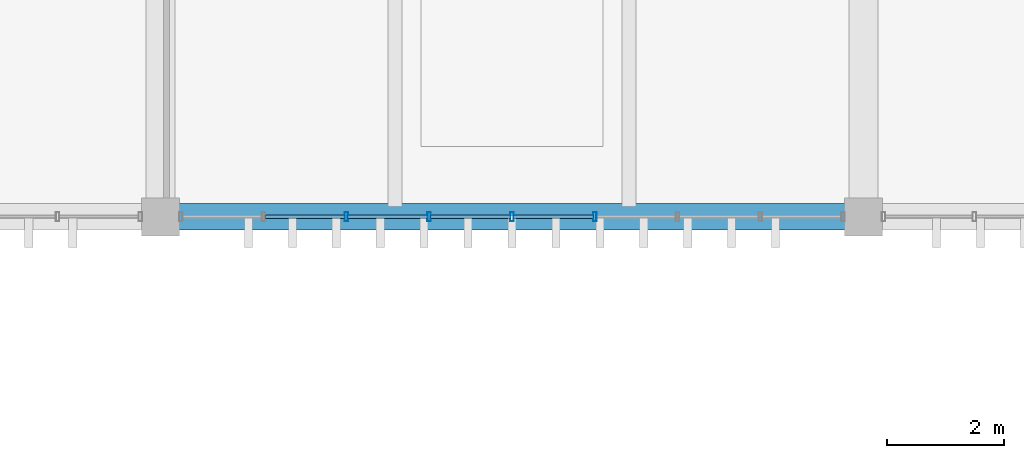
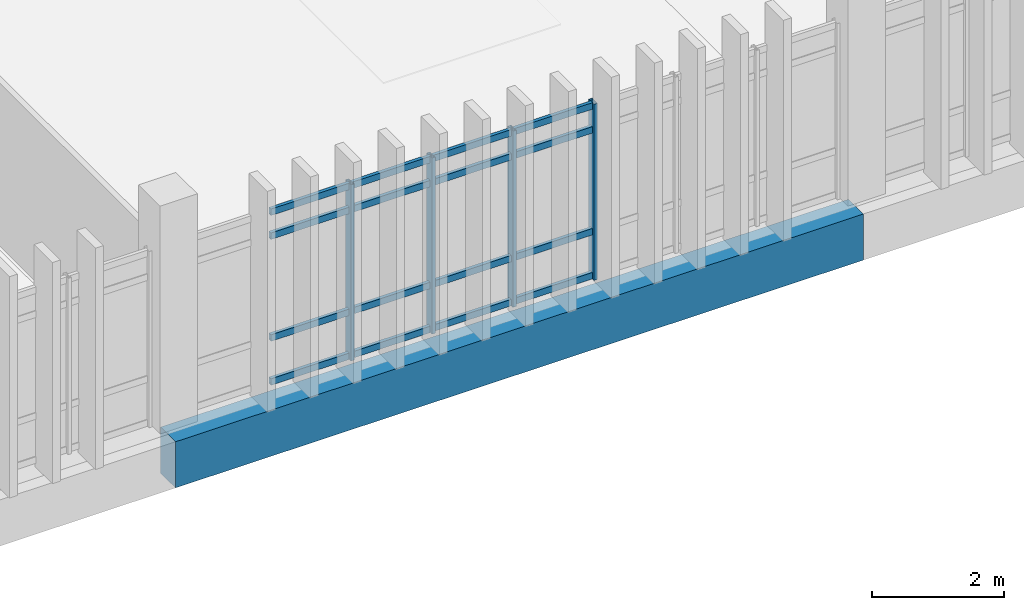
# One storey, part 19 of 82: 20 members, 1 beam, 1 element without a shape of its own.
"""IFC4 building model written with IfcOpenShell, lengths in metres."""

from ifc_helpers import new_model, si_unit, direction, frame, origin, origin_2d, place, context, subcontext, project, spatial, rectangle, hollow_rectangle, extrude, material, layer, layer_set, material_profile, profile_set, type_object, element, aggregate, save


model = new_model("IFC4")

# Units and contexts
model_context = context("Model", 3, precision=1e-05, world=origin(), true_north=direction((0.0, 1.0)))
body_context = subcontext(model_context, "Body", "Model", "MODEL_VIEW")
ifc_project = project(units=[si_unit("LENGTHUNIT", "METRE"), si_unit("AREAUNIT", "SQUARE_METRE"), si_unit("VOLUMEUNIT", "CUBIC_METRE"), si_unit("PLANEANGLEUNIT", "RADIAN"), si_unit("MASSUNIT", "GRAM", prefix="KILO")], contexts=[model_context])

# Site, building, storey
site_placement = place(None, origin())
site = spatial("IfcSite", under=ifc_project, at=site_placement, CompositionType="ELEMENT")
building_placement = place(site_placement, origin())
building = spatial("IfcBuilding", under=site, at=building_placement, Name="Mersad Railyard Sports Hall", CompositionType="ELEMENT")
storey_placement = place(building_placement, frame((0.0, 0.0, 13.199951171875)))
storey = spatial("IfcBuildingStorey", under=building, at=storey_placement, Name="L03", CompositionType="ELEMENT", Elevation=13.199951171875)

# Curtain wall, members
ifc_material_1 = material(Name="Aluminium 6063-T6", Category="aluminium")
ifc_layer = layer(ifc_material_1, 0.159912109375)
ifc_layer_set = layer_set([ifc_layer], Name="Aluminium 6063-T6")
curtain_wall_type = type_object("IfcCurtainWallType", Name="ARC-CW-CW59", PredefinedType="USERDEFINED", material=ifc_layer_set)
curtain_wall_placement = place(storey_placement, origin())
curtain_wall = element("IfcCurtainWall", 1, at=curtain_wall_placement, inside=storey, type_object=curtain_wall_type, Name="Curtain wall CW59-0157", ObjectType="CURTAIN WALL", PredefinedType="USERDEFINED")
ifc_material_profile_1 = material_profile(ifc_material_1, hollow_rectangle(XDim=0.06005859375, YDim=0.159912109375, WallThickness=0.00390625, at=origin_2d()), Name="AL MULLION 60x160x4")
ifc_profile_set_1 = profile_set([ifc_material_profile_1], Name="Aluminium 6063-T6")
member_type_1 = type_object("IfcMemberType", Name="ARC-CW-MUL01", PredefinedType="MULLION", material=ifc_profile_set_1)
member_1_placement = place(storey_placement, frame((86.413818359375, 85.0, -0.02001953125), z_axis=(0.0, 0.0, 1.0), x_axis=(1.0, 0.0, 0.0)))
member_1 = element("IfcMember", 2, at=member_1_placement, type_object=member_type_1, Name="CW59 Mullion 4", PredefinedType="MULLION", context=body_context, shape_type="SweptSolid", body=[
    extrude(hollow_rectangle(XDim=0.06005859375, YDim=0.159912109375, WallThickness=0.00390625, at=origin_2d()), origin(), (0.0, 0.0, 1.0), 3.25),
])
member_2_placement = place(storey_placement, frame((85.0, 85.0, -0.02001953125), z_axis=(0.0, 0.0, 1.0), x_axis=(1.0, 0.0, 0.0)))
member_2 = element("IfcMember", 3, at=member_2_placement, type_object=member_type_1, Name="CW59 Mullion 5", PredefinedType="MULLION", context=body_context, shape_type="SweptSolid", body=[
    extrude(hollow_rectangle(XDim=0.06005859375, YDim=0.159912109375, WallThickness=0.00390625, at=origin_2d()), origin(), (0.0, 0.0, 1.0), 3.25),
])
member_3_placement = place(storey_placement, frame((83.586181640625, 85.0, -0.02001953125), z_axis=(0.0, 0.0, 1.0), x_axis=(1.0, 0.0, 0.0)))
member_3 = element("IfcMember", 4, at=member_3_placement, type_object=member_type_1, Name="CW59 Mullion 6", PredefinedType="MULLION", context=body_context, shape_type="SweptSolid", body=[
    extrude(hollow_rectangle(XDim=0.06005859375, YDim=0.159912109375, WallThickness=0.00390625, at=origin_2d()), origin(), (0.0, 0.0, 1.0), 3.25),
])
member_4_placement = place(storey_placement, frame((82.172607421875, 85.0, -0.02001953125), z_axis=(0.0, 0.0, 1.0), x_axis=(1.0, 0.0, 0.0)))
member_4 = element("IfcMember", 5, at=member_4_placement, type_object=member_type_1, Name="CW59 Mullion 7", PredefinedType="MULLION", context=body_context, shape_type="SweptSolid", body=[
    extrude(hollow_rectangle(XDim=0.06005859375, YDim=0.159912109375, WallThickness=0.00390625, at=origin_2d()), origin(), (0.0, 0.0, 1.0), 3.25),
])
ifc_material_profile_2 = material_profile(ifc_material_1, hollow_rectangle(XDim=0.06005859375, YDim=0.1201171875, WallThickness=0.00390625, at=origin_2d()), Name="AL TRANSOM 60x120x4")
ifc_profile_set_2 = profile_set([ifc_material_profile_2], Name="Aluminium 6063-T6")
member_type_2 = type_object("IfcMemberType", Name="ARC-CW-TRN01", PredefinedType="USERDEFINED", material=ifc_profile_set_2)
member_5_placement = place(storey_placement, frame((86.393798828125, 85.0, 0.0400390625), z_axis=(-1.0, 0.0, 0.0), x_axis=(0.0, -1.0, 0.0)))
member_5 = element("IfcMember", 6, at=member_5_placement, type_object=member_type_2, Name="CW59 Transom 1-4", ObjectType="TRANSOM", PredefinedType="USERDEFINED", context=body_context, shape_type="SweptSolid", body=[
    extrude(hollow_rectangle(XDim=0.06005859375, YDim=0.1201171875, WallThickness=0.00390625, at=origin_2d()), origin(), (0.0, 0.0, 1.0), 1.373779296875),
])
member_6_placement = place(storey_placement, frame((84.97998046875, 85.0, 0.0400390625), z_axis=(-1.0, 0.0, 0.0), x_axis=(0.0, -1.0, 0.0)))
member_6 = element("IfcMember", 7, at=member_6_placement, type_object=member_type_2, Name="CW59 Transom 1-5", ObjectType="TRANSOM", PredefinedType="USERDEFINED", context=body_context, shape_type="SweptSolid", body=[
    extrude(hollow_rectangle(XDim=0.06005859375, YDim=0.1201171875, WallThickness=0.00390625, at=origin_2d()), origin(), (0.0, 0.0, 1.0), 1.373779296875),
])
member_7_placement = place(storey_placement, frame((83.566162109375, 85.0, 0.0400390625), z_axis=(-1.0, 0.0, 0.0), x_axis=(0.0, -1.0, 0.0)))
member_7 = element("IfcMember", 8, at=member_7_placement, type_object=member_type_2, Name="CW59 Transom 1-6", ObjectType="TRANSOM", PredefinedType="USERDEFINED", context=body_context, shape_type="SweptSolid", body=[
    extrude(hollow_rectangle(XDim=0.06005859375, YDim=0.1201171875, WallThickness=0.00390625, at=origin_2d()), origin(), (0.0, 0.0, 1.0), 1.373779296875),
])
member_8_placement = place(storey_placement, frame((82.152587890625, 85.0, 0.0400390625), z_axis=(-1.0, 0.0, 0.0), x_axis=(0.0, -1.0, 0.0)))
member_8 = element("IfcMember", 9, at=member_8_placement, type_object=member_type_2, Name="CW59 Transom 1-7", ObjectType="TRANSOM", PredefinedType="USERDEFINED", context=body_context, shape_type="SweptSolid", body=[
    extrude(hollow_rectangle(XDim=0.06005859375, YDim=0.1201171875, WallThickness=0.00390625, at=origin_2d()), origin(), (0.0, 0.0, 1.0), 1.373779296875),
])
member_9_placement = place(storey_placement, frame((86.393798828125, 85.0, 0.85009765625), z_axis=(-1.0, 0.0, 0.0), x_axis=(0.0, -1.0, 0.0)))
member_9 = element("IfcMember", 10, at=member_9_placement, type_object=member_type_2, Name="CW59 Transom 2-4", ObjectType="TRANSOM", PredefinedType="USERDEFINED", context=body_context, shape_type="SweptSolid", body=[
    extrude(hollow_rectangle(XDim=0.06005859375, YDim=0.1201171875, WallThickness=0.00390625, at=origin_2d()), origin(), (0.0, 0.0, 1.0), 1.373779296875),
])
member_10_placement = place(storey_placement, frame((84.97998046875, 85.0, 0.85009765625), z_axis=(-1.0, 0.0, 0.0), x_axis=(0.0, -1.0, 0.0)))
member_10 = element("IfcMember", 11, at=member_10_placement, type_object=member_type_2, Name="CW59 Transom 2-5", ObjectType="TRANSOM", PredefinedType="USERDEFINED", context=body_context, shape_type="SweptSolid", body=[
    extrude(hollow_rectangle(XDim=0.06005859375, YDim=0.1201171875, WallThickness=0.00390625, at=origin_2d()), origin(), (0.0, 0.0, 1.0), 1.373779296875),
])
member_11_placement = place(storey_placement, frame((83.566162109375, 85.0, 0.85009765625), z_axis=(-1.0, 0.0, 0.0), x_axis=(0.0, -1.0, 0.0)))
member_11 = element("IfcMember", 12, at=member_11_placement, type_object=member_type_2, Name="CW59 Transom 2-6", ObjectType="TRANSOM", PredefinedType="USERDEFINED", context=body_context, shape_type="SweptSolid", body=[
    extrude(hollow_rectangle(XDim=0.06005859375, YDim=0.1201171875, WallThickness=0.00390625, at=origin_2d()), origin(), (0.0, 0.0, 1.0), 1.373779296875),
])
member_12_placement = place(storey_placement, frame((82.152587890625, 85.0, 0.85009765625), z_axis=(-1.0, 0.0, 0.0), x_axis=(0.0, -1.0, 0.0)))
member_12 = element("IfcMember", 13, at=member_12_placement, type_object=member_type_2, Name="CW59 Transom 2-7", ObjectType="TRANSOM", PredefinedType="USERDEFINED", context=body_context, shape_type="SweptSolid", body=[
    extrude(hollow_rectangle(XDim=0.06005859375, YDim=0.1201171875, WallThickness=0.00390625, at=origin_2d()), origin(), (0.0, 0.0, 1.0), 1.373779296875),
])
member_13_placement = place(storey_placement, frame((86.393798828125, 85.0, 2.72998046875), z_axis=(-1.0, 0.0, 0.0), x_axis=(0.0, -1.0, 0.0)))
member_13 = element("IfcMember", 14, at=member_13_placement, type_object=member_type_2, Name="CW59 Transom 3-4", ObjectType="TRANSOM", PredefinedType="USERDEFINED", context=body_context, shape_type="SweptSolid", body=[
    extrude(hollow_rectangle(XDim=0.06005859375, YDim=0.1201171875, WallThickness=0.00390625, at=origin_2d()), origin(), (0.0, 0.0, 1.0), 1.373779296875),
])
member_14_placement = place(storey_placement, frame((84.97998046875, 85.0, 2.72998046875), z_axis=(-1.0, 0.0, 0.0), x_axis=(0.0, -1.0, 0.0)))
member_14 = element("IfcMember", 15, at=member_14_placement, type_object=member_type_2, Name="CW59 Transom 3-5", ObjectType="TRANSOM", PredefinedType="USERDEFINED", context=body_context, shape_type="SweptSolid", body=[
    extrude(hollow_rectangle(XDim=0.06005859375, YDim=0.1201171875, WallThickness=0.00390625, at=origin_2d()), origin(), (0.0, 0.0, 1.0), 1.373779296875),
])
member_15_placement = place(storey_placement, frame((83.566162109375, 85.0, 2.72998046875), z_axis=(-1.0, 0.0, 0.0), x_axis=(0.0, -1.0, 0.0)))
member_15 = element("IfcMember", 16, at=member_15_placement, type_object=member_type_2, Name="CW59 Transom 3-6", ObjectType="TRANSOM", PredefinedType="USERDEFINED", context=body_context, shape_type="SweptSolid", body=[
    extrude(hollow_rectangle(XDim=0.06005859375, YDim=0.1201171875, WallThickness=0.00390625, at=origin_2d()), origin(), (0.0, 0.0, 1.0), 1.373779296875),
])
member_16_placement = place(storey_placement, frame((82.152587890625, 85.0, 2.72998046875), z_axis=(-1.0, 0.0, 0.0), x_axis=(0.0, -1.0, 0.0)))
member_16 = element("IfcMember", 17, at=member_16_placement, type_object=member_type_2, Name="CW59 Transom 3-7", ObjectType="TRANSOM", PredefinedType="USERDEFINED", context=body_context, shape_type="SweptSolid", body=[
    extrude(hollow_rectangle(XDim=0.06005859375, YDim=0.1201171875, WallThickness=0.00390625, at=origin_2d()), origin(), (0.0, 0.0, 1.0), 1.373779296875),
])
member_17_placement = place(storey_placement, frame((86.393798828125, 85.0, 3.170166015625), z_axis=(-1.0, 0.0, 0.0), x_axis=(0.0, -1.0, 0.0)))
member_17 = element("IfcMember", 18, at=member_17_placement, type_object=member_type_2, Name="CW59 Transom 4-4", ObjectType="TRANSOM", PredefinedType="USERDEFINED", context=body_context, shape_type="SweptSolid", body=[
    extrude(hollow_rectangle(XDim=0.06005859375, YDim=0.1201171875, WallThickness=0.00390625, at=origin_2d()), origin(), (0.0, 0.0, 1.0), 1.373779296875),
])
member_18_placement = place(storey_placement, frame((84.97998046875, 85.0, 3.170166015625), z_axis=(-1.0, 0.0, 0.0), x_axis=(0.0, -1.0, 0.0)))
member_18 = element("IfcMember", 19, at=member_18_placement, type_object=member_type_2, Name="CW59 Transom 4-5", ObjectType="TRANSOM", PredefinedType="USERDEFINED", context=body_context, shape_type="SweptSolid", body=[
    extrude(hollow_rectangle(XDim=0.06005859375, YDim=0.1201171875, WallThickness=0.00390625, at=origin_2d()), origin(), (0.0, 0.0, 1.0), 1.373779296875),
])
member_19_placement = place(storey_placement, frame((83.566162109375, 85.0, 3.170166015625), z_axis=(-1.0, 0.0, 0.0), x_axis=(0.0, -1.0, 0.0)))
member_19 = element("IfcMember", 20, at=member_19_placement, type_object=member_type_2, Name="CW59 Transom 4-6", ObjectType="TRANSOM", PredefinedType="USERDEFINED", context=body_context, shape_type="SweptSolid", body=[
    extrude(hollow_rectangle(XDim=0.06005859375, YDim=0.1201171875, WallThickness=0.00390625, at=origin_2d()), origin(), (0.0, 0.0, 1.0), 1.373779296875),
])
member_20_placement = place(storey_placement, frame((82.152587890625, 85.0, 3.170166015625), z_axis=(-1.0, 0.0, 0.0), x_axis=(0.0, -1.0, 0.0)))
member_20 = element("IfcMember", 21, at=member_20_placement, type_object=member_type_2, Name="CW59 Transom 4-7", ObjectType="TRANSOM", PredefinedType="USERDEFINED", context=body_context, shape_type="SweptSolid", body=[
    extrude(hollow_rectangle(XDim=0.06005859375, YDim=0.1201171875, WallThickness=0.00390625, at=origin_2d()), origin(), (0.0, 0.0, 1.0), 1.373779296875),
])
aggregate(curtain_wall, [member_1, member_2, member_3, member_4, member_5, member_6, member_7, member_8, member_9, member_10, member_11, member_12, member_13, member_14, member_15, member_16, member_17, member_18, member_19, member_20])

# Beam
ifc_material_2 = material(Name="Concrete C40/50", Category="concrete")
ifc_material_profile_3 = material_profile(ifc_material_2, rectangle(XDim=0.449951171875, YDim=0.85009765625, at=origin_2d()), Name="RC 450x850")
ifc_profile_set_3 = profile_set([ifc_material_profile_3], Name="Concrete C40/50")
beam_type = type_object("IfcBeamType", Name="STR-BM-B02", PredefinedType="BEAM", material=ifc_profile_set_3)
beam_placement = place(storey_placement, frame((79.0, 85.0, -0.744873046875), z_axis=(1.0, 0.0, 0.0), x_axis=(0.0, 1.0, 0.0)))
element("IfcBeam", 22, at=beam_placement, inside=storey, type_object=beam_type, Name="Beam B02-1215", PredefinedType="BEAM", context=body_context, shape_type="SweptSolid", body=[
    extrude(rectangle(XDim=0.449951171875, YDim=0.85009765625, at=origin_2d()), origin(), (0.0, 0.0, 1.0), 12.0),
])

save(model, "model.ifc")
